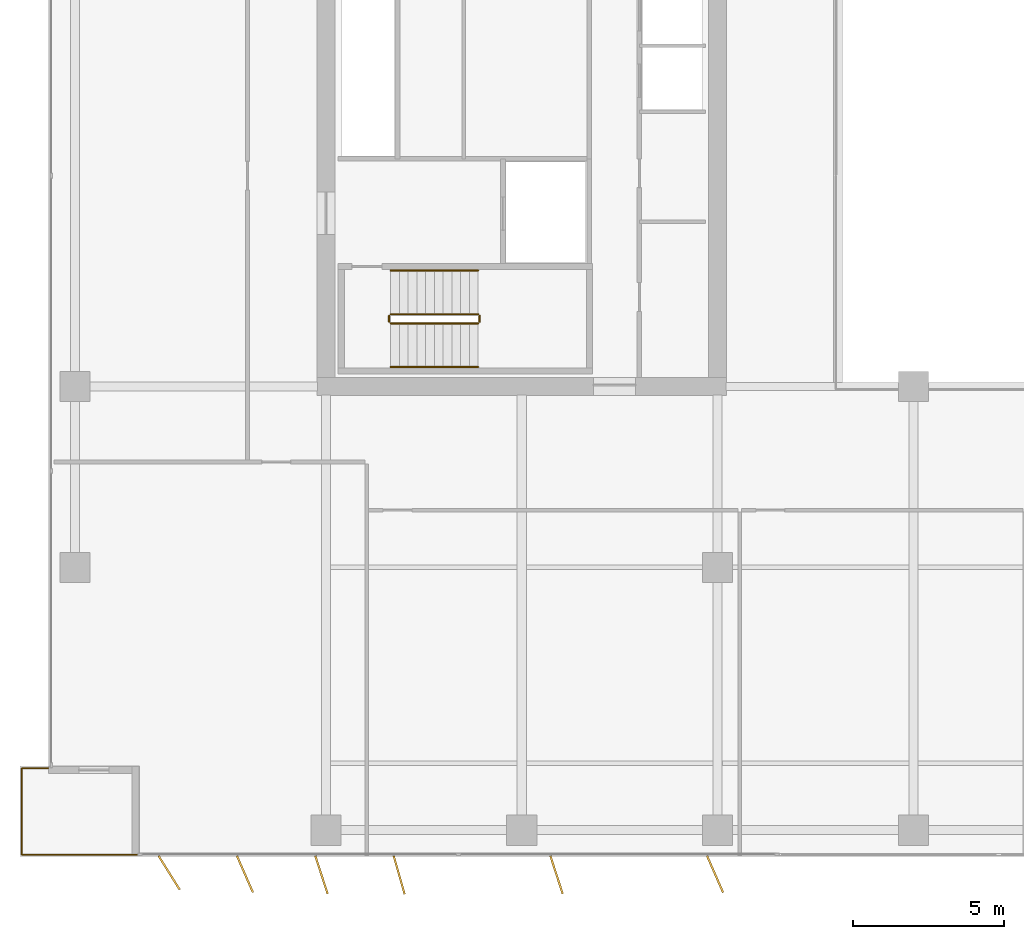
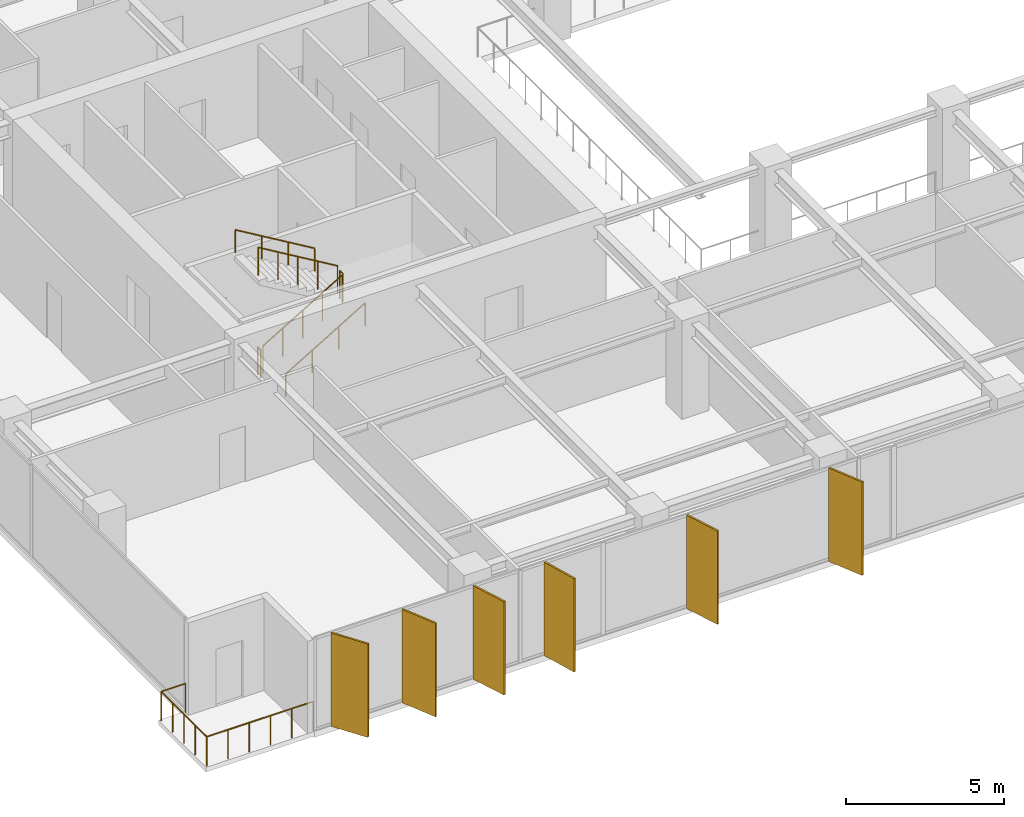
# One storey, part 19 of 22: 7 railings, 6 shading devices.
"""IFC4 building model written with IfcOpenShell, lengths in metres."""

from ifc_helpers import new_model, si_unit, direction, frame, origin, origin_2d, place, context, subcontext, project, spatial, rectangle, circle, extrude, material, layer, layer_set, type_object, element, save


model = new_model("IFC4")

# Units and contexts
model_context = context("Model", 3, precision=1e-05, world=origin(), true_north=direction((0.0, 1.0)))
body_context = subcontext(model_context, "Body", "Model", "MODEL_VIEW")
ifc_project = project(units=[si_unit("LENGTHUNIT", "METRE"), si_unit("AREAUNIT", "SQUARE_METRE"), si_unit("VOLUMEUNIT", "CUBIC_METRE"), si_unit("PLANEANGLEUNIT", "RADIAN"), si_unit("MASSUNIT", "GRAM", prefix="KILO")], contexts=[model_context])

# Site, building, storey
site_placement = place(None, origin())
site = spatial("IfcSite", under=ifc_project, at=site_placement, CompositionType="ELEMENT")
building_placement = place(site_placement, origin())
building = spatial("IfcBuilding", under=site, at=building_placement, Name="Putna Gate Headquarters", CompositionType="ELEMENT")
storey_placement = place(building_placement, frame((0.0, 0.0, 163.199951171875)))
storey = spatial("IfcBuildingStorey", under=building, at=storey_placement, Name="L40", CompositionType="ELEMENT", Elevation=163.199951171875)

# Railings
ifc_material_1 = material(Name="Powder-coated steel stair guardrail", Category="steel")
railing_type_1 = type_object("IfcRailingType", Name="RAIL-STAIR-GUARD-1100", PredefinedType="GUARDRAIL", material=ifc_material_1)
railing_1_placement = place(storey_placement, frame((15.14990234375, 21.10009765625, 0.1728515625)))
element("IfcRailing", 1, at=railing_1_placement, inside=storey, type_object=railing_type_1, Name="L40 ST1 stair guard 1", PredefinedType="GUARDRAIL", context=body_context, shape_type="SweptSolid", body=[
    extrude(circle(Radius=0.02392578125, at=origin_2d()), frame((0.0, 0.0, 1.076171875), z_axis=(0.859160404282, 0.0, 0.51170636083), x_axis=(0.0, 1.0, 0.0)), (0.0, 0.0, 1.0), 3.37548828125),
    extrude(circle(Radius=0.02099609375, at=origin_2d()), origin(), (0.0, 0.0, 1.0), 1.052001953125),
    extrude(circle(Radius=0.02099609375, at=origin_2d()), frame((0.72509765625, 0.0, 0.431884765625)), (0.0, 0.0, 1.0), 1.052001953125),
    extrude(circle(Radius=0.02099609375, at=origin_2d()), frame((1.4501953125, 0.0, 0.86376953125)), (0.0, 0.0, 1.0), 1.052001953125),
    extrude(circle(Radius=0.02099609375, at=origin_2d()), frame((2.175048828125, 0.0, 1.29541015625)), (0.0, 0.0, 1.0), 1.052001953125),
    extrude(circle(Radius=0.02099609375, at=origin_2d()), frame((2.900146484375, 0.0, 1.727294921875)), (0.0, 0.0, 1.0), 1.052001953125),
])
railing_2_placement = place(storey_placement, frame((18.10009765625, 21.14990234375, 1.900146484375)))
element("IfcRailing", 2, at=railing_2_placement, inside=storey, type_object=railing_type_1, Name="L40 ST1 stair guard 2", PredefinedType="GUARDRAIL", context=body_context, shape_type="SweptSolid", body=[
    extrude(circle(Radius=0.02392578125, at=origin_2d()), frame((0.0, 0.0, 1.076171875), z_axis=(0.0, 1.0, 0.0), x_axis=(-1.0, 0.0, 0.0)), (0.0, 0.0, 1.0), 0.2001953125),
    extrude(circle(Radius=0.02099609375, at=origin_2d()), origin(), (0.0, 0.0, 1.0), 1.052001953125),
    extrude(circle(Radius=0.02099609375, at=origin_2d()), frame((0.0, 0.2001953125, 0.0)), (0.0, 0.0, 1.0), 1.052001953125),
])
railing_3_placement = place(storey_placement, frame((18.050048828125, 21.39990234375, 2.07275390625)))
element("IfcRailing", 3, at=railing_3_placement, inside=storey, type_object=railing_type_1, Name="L40 ST1 stair guard 3", PredefinedType="GUARDRAIL", context=body_context, shape_type="SweptSolid", body=[
    extrude(circle(Radius=0.02392578125, at=origin_2d()), frame((0.0, 0.0, 1.076171875), z_axis=(-0.859160404282, 0.0, 0.51170636083), x_axis=(0.0, -1.0, 0.0)), (0.0, 0.0, 1.0), 3.37548828125),
    extrude(circle(Radius=0.02099609375, at=origin_2d()), origin(), (0.0, 0.0, 1.0), 1.052001953125),
    extrude(circle(Radius=0.02099609375, at=origin_2d()), frame((-0.72509765625, 0.0, 0.431884765625)), (0.0, 0.0, 1.0), 1.052001953125),
    extrude(circle(Radius=0.02099609375, at=origin_2d()), frame((-1.4501953125, 0.0, 0.86376953125)), (0.0, 0.0, 1.0), 1.052001953125),
    extrude(circle(Radius=0.02099609375, at=origin_2d()), frame((-2.175048828125, 0.0, 1.29541015625)), (0.0, 0.0, 1.0), 1.052001953125),
    extrude(circle(Radius=0.02099609375, at=origin_2d()), frame((-2.900146484375, 0.0, 1.727294921875)), (0.0, 0.0, 1.0), 1.052001953125),
])
railing_4_placement = place(storey_placement, frame((15.10009765625, 21.14990234375, 0.0)))
element("IfcRailing", 4, at=railing_4_placement, inside=storey, type_object=railing_type_1, Name="L40 ST1 stair guard 4", PredefinedType="GUARDRAIL", context=body_context, shape_type="SweptSolid", body=[
    extrude(circle(Radius=0.02392578125, at=origin_2d()), frame((0.0, 0.0, 1.076171875), z_axis=(0.0, 1.0, 0.0), x_axis=(-1.0, 0.0, 0.0)), (0.0, 0.0, 1.0), 0.2001953125),
    extrude(circle(Radius=0.02099609375, at=origin_2d()), origin(), (0.0, 0.0, 1.0), 1.052001953125),
    extrude(circle(Radius=0.02099609375, at=origin_2d()), frame((0.0, 0.2001953125, 0.0)), (0.0, 0.0, 1.0), 1.052001953125),
])
ifc_material_2 = material(Name="Brushed stainless steel handrail", Category="steel")
railing_type_2 = type_object("IfcRailingType", Name="RAIL-STAIR-HAND-900", PredefinedType="HANDRAIL", material=ifc_material_2)
railing_5_placement = place(storey_placement, frame((15.14990234375, 19.64990234375, 0.1728515625)))
element("IfcRailing", 5, at=railing_5_placement, inside=storey, type_object=railing_type_2, Name="L40 ST1 stair handrail 1", PredefinedType="HANDRAIL", context=body_context, shape_type="SweptSolid", body=[
    extrude(circle(Radius=0.02392578125, at=origin_2d()), frame((0.0, 0.0, 0.8759765625), z_axis=(0.859160404282, 0.0, 0.51170636083), x_axis=(0.0, 1.0, 0.0)), (0.0, 0.0, 1.0), 3.37548828125),
    extrude(circle(Radius=0.02099609375, at=origin_2d()), origin(), (0.0, 0.0, 1.0), 0.851806640625),
    extrude(circle(Radius=0.02099609375, at=origin_2d()), frame((0.966796875, 0.0, 0.57568359375)), (0.0, 0.0, 1.0), 0.851806640625),
    extrude(circle(Radius=0.02099609375, at=origin_2d()), frame((1.933349609375, 0.0, 1.151611328125)), (0.0, 0.0, 1.0), 0.851806640625),
    extrude(circle(Radius=0.02099609375, at=origin_2d()), frame((2.900146484375, 0.0, 1.727294921875)), (0.0, 0.0, 1.0), 0.851806640625),
])
railing_6_placement = place(storey_placement, frame((18.050048828125, 22.85009765625, 2.07275390625)))
element("IfcRailing", 6, at=railing_6_placement, inside=storey, type_object=railing_type_2, Name="L40 ST1 stair handrail 2", PredefinedType="HANDRAIL", context=body_context, shape_type="SweptSolid", body=[
    extrude(circle(Radius=0.02392578125, at=origin_2d()), frame((0.0, 0.0, 0.8759765625), z_axis=(-0.859160404282, 0.0, 0.51170636083), x_axis=(0.0, -1.0, 0.0)), (0.0, 0.0, 1.0), 3.37548828125),
    extrude(circle(Radius=0.02099609375, at=origin_2d()), origin(), (0.0, 0.0, 1.0), 0.851806640625),
    extrude(circle(Radius=0.02099609375, at=origin_2d()), frame((-0.966796875, 0.0, 0.57568359375)), (0.0, 0.0, 1.0), 0.851806640625),
    extrude(circle(Radius=0.02099609375, at=origin_2d()), frame((-1.933349609375, 0.0, 1.151611328125)), (0.0, 0.0, 1.0), 0.851806640625),
    extrude(circle(Radius=0.02099609375, at=origin_2d()), frame((-2.900146484375, 0.0, 1.727294921875)), (0.0, 0.0, 1.0), 0.851806640625),
])
ifc_material_3 = material(Name="Anodised bronze steel and laminated glass guardrail", Category="steel")
railing_type_3 = type_object("IfcRailingType", Name="RAIL-TERR-GUARD-1150", PredefinedType="GUARDRAIL", material=ifc_material_3)
railing_7_placement = place(storey_placement, frame((6.800048828125, 3.4599609375, 0.0)))
element("IfcRailing", 7, at=railing_7_placement, inside=storey, type_object=railing_type_3, Name="L40 Spiral Sky Terrace Guardrail SW", PredefinedType="GUARDRAIL", context=body_context, shape_type="SweptSolid", body=[
    extrude(circle(Radius=0.02392578125, at=origin_2d()), frame((0.0, 0.0, 1.1259765625), z_axis=(-1.0, 0.0, 0.0), x_axis=(0.0, -1.0, 0.0)), (0.0, 0.0, 1.0), 3.89013671875),
    extrude(circle(Radius=0.02392578125, at=origin_2d()), frame((-3.89013671875, 0.0, 1.1259765625), z_axis=(0.0, 1.0, 0.0), x_axis=(-1.0, 0.0, 0.0)), (0.0, 0.0, 1.0), 2.880126953125),
    extrude(circle(Radius=0.02392578125, at=origin_2d()), frame((-3.89013671875, 2.880126953125, 1.1259765625), z_axis=(1.0, 0.0, 0.0), x_axis=(0.0, 1.0, 0.0)), (0.0, 0.0, 1.0), 0.89013671875),
    extrude(circle(Radius=0.02099609375, at=origin_2d()), origin(), (0.0, 0.0, 1.0), 1.101806640625),
    extrude(circle(Radius=0.02099609375, at=origin_2d()), frame((-0.778076171875, 0.0, 0.0)), (0.0, 0.0, 1.0), 1.101806640625),
    extrude(circle(Radius=0.02099609375, at=origin_2d()), frame((-1.55615234375, 0.0, 0.0)), (0.0, 0.0, 1.0), 1.101806640625),
    extrude(circle(Radius=0.02099609375, at=origin_2d()), frame((-2.333984375, 0.0, 0.0)), (0.0, 0.0, 1.0), 1.101806640625),
    extrude(circle(Radius=0.02099609375, at=origin_2d()), frame((-3.112060546875, 0.0, 0.0)), (0.0, 0.0, 1.0), 1.101806640625),
    extrude(circle(Radius=0.02099609375, at=origin_2d()), frame((-3.89013671875, 0.0, 0.0)), (0.0, 0.0, 1.0), 1.101806640625),
    extrude(circle(Radius=0.02099609375, at=origin_2d()), frame((-3.89013671875, 0.719970703125, 0.0)), (0.0, 0.0, 1.0), 1.101806640625),
    extrude(circle(Radius=0.02099609375, at=origin_2d()), frame((-3.89013671875, 1.43994140625, 0.0)), (0.0, 0.0, 1.0), 1.101806640625),
    extrude(circle(Radius=0.02099609375, at=origin_2d()), frame((-3.89013671875, 2.16015625, 0.0)), (0.0, 0.0, 1.0), 1.101806640625),
    extrude(circle(Radius=0.02099609375, at=origin_2d()), frame((-3.89013671875, 2.880126953125, 0.0)), (0.0, 0.0, 1.0), 1.101806640625),
    extrude(circle(Radius=0.02099609375, at=origin_2d()), frame((-3.0, 2.880126953125, 0.0)), (0.0, 0.0, 1.0), 1.101806640625),
])

# Shading devices
ifc_material_4 = material(Name="Anodised architectural bronze aluminium fin", Category="aluminium")
ifc_layer = layer(ifc_material_4, 0.06494140625)
ifc_layer_set = layer_set([ifc_layer], Name="Anodised architectural bronze aluminium fin")
shading_device_type = type_object("IfcShadingDeviceType", Name="SHADE-BRONZE-FIN-1320", PredefinedType="USERDEFINED", material=ifc_layer_set)
for number, where, z_axis, x_axis, name in (
    (8, (7.80029296875, 2.865478515625, -0.02001953125), (0.0, 0.0, 1.0), (0.530659123936, -0.847585331506, 0.0), "L40 Bronze Vertical Shading Fin S1"),
    (9, (10.314453125, 2.8203125, -0.02001953125), (0.0, 0.0, 1.0), (0.400668879095, -0.916222925562, 0.0), "L40 Bronze Vertical Shading Fin S2"),
    (10, (12.853759765625, 2.797119140625, -0.02001953125), (0.0, 0.0, 1.0), (0.308684994204, -0.951164325631, 0.0), "L40 Bronze Vertical Shading Fin S3"),
    (11, (15.431884765625, 2.79052734375, -0.02001953125), (0.0, 0.0, 1.0), (0.275637355817, -0.961261695938, 0.0), "L40 Bronze Vertical Shading Fin S4"),
    (12, (20.65380859375, 2.797119140625, -0.02001953125), (0.0, 0.0, 1.0), (0.308684994204, -0.951164325631, 0.0), "L40 Bronze Vertical Shading Fin S5"),
    (13, (25.914306640625, 2.8203125, -0.02001953125), (0.0, 0.0, 1.0), (0.400668879095, -0.916222925562, 0.0), "L40 Bronze Vertical Shading Fin S6"),
):
    element("IfcShadingDevice", number, at=place(storey_placement, frame(where, z_axis=z_axis, x_axis=x_axis)), inside=storey, type_object=shading_device_type, Name=name, ObjectType="FIN", PredefinedType="USERDEFINED", context=body_context, shape_type="SweptSolid", body=[
        extrude(rectangle(XDim=1.320068359375, YDim=0.06494140625, at=origin_2d()), origin(), (0.0, 0.0, 1.0), 3.612060546875),
    ])

save(model, "model.ifc")
